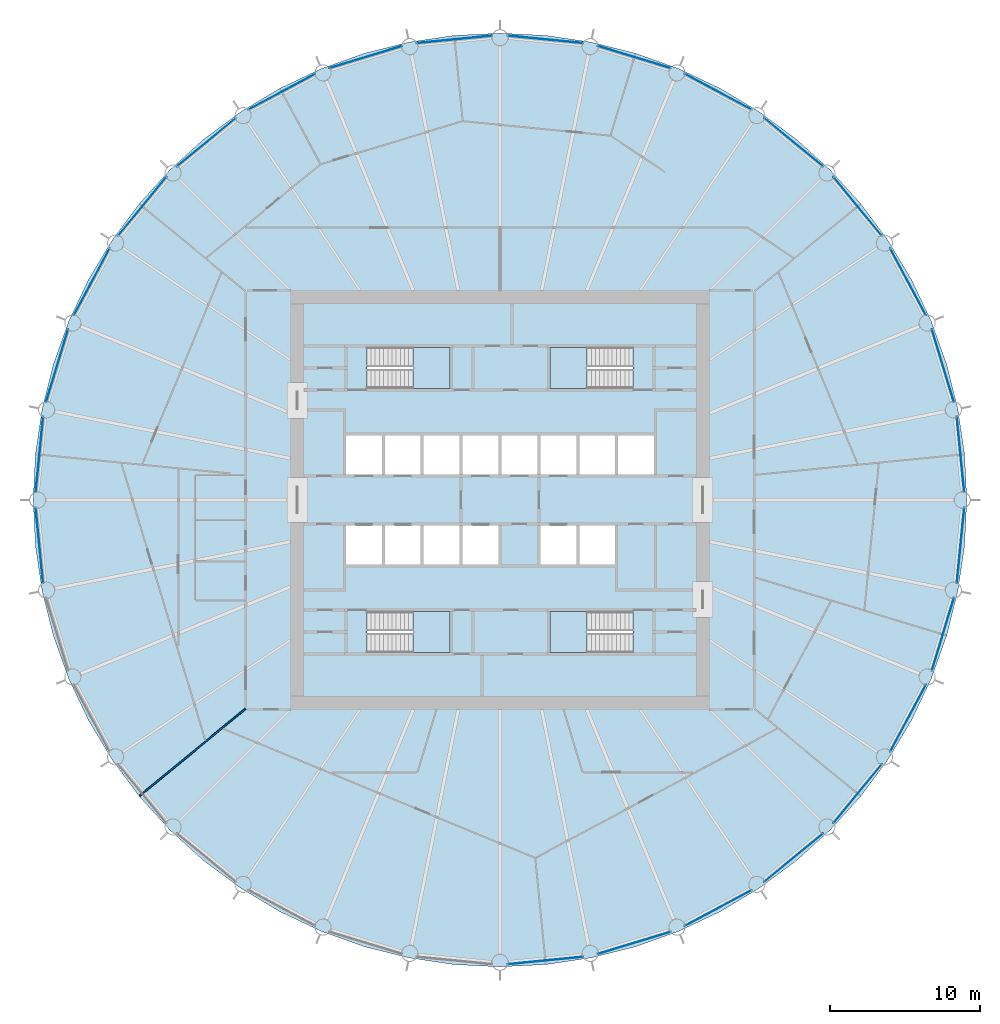
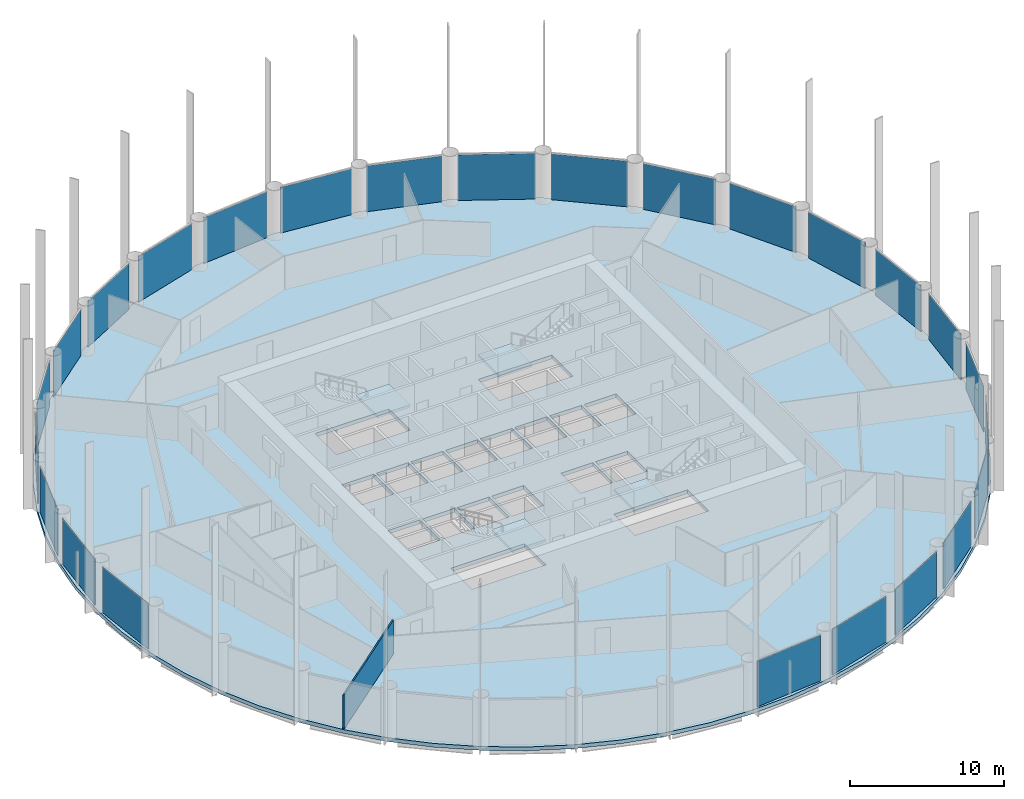
# One storey, part 3 of 9: 25 plates, 5 slabs, 1 wall, 29 elements without a shape of their own.
"""IFC4 building model written with IfcOpenShell, lengths in metres."""

from ifc_helpers import new_model, si_unit, direction, frame, frame_2d, origin, origin_2d, place, context, subcontext, project, spatial, polyline, rectangle, outline, extrude, material, layer, layer_set, type_object, element, aggregate, save


model = new_model("IFC4")

# Units and contexts
model_context = context("Model", 3, precision=1e-05, world=origin(), true_north=direction((0.0, 1.0)))
body_context = subcontext(model_context, "Body", "Model", "MODEL_VIEW")
ifc_project = project(units=[si_unit("LENGTHUNIT", "METRE"), si_unit("AREAUNIT", "SQUARE_METRE"), si_unit("VOLUMEUNIT", "CUBIC_METRE"), si_unit("PLANEANGLEUNIT", "RADIAN"), si_unit("MASSUNIT", "GRAM", prefix="KILO")], contexts=[model_context])

# Site, building, storey
site_placement = place(None, origin())
site = spatial("IfcSite", under=ifc_project, at=site_placement, CompositionType="ELEMENT")
building_placement = place(site_placement, origin())
building = spatial("IfcBuilding", under=site, at=building_placement, Name="Corvane Civic Tower", CompositionType="ELEMENT")
storey_placement = place(building_placement, frame((0.0, 0.0, 188.0)))
storey = spatial("IfcBuildingStorey", under=building, at=storey_placement, Name="L44", CompositionType="ELEMENT", Elevation=188.0)

# Slab
ifc_material_1 = material(Name="Concrete C40/50", Category="concrete")
ifc_layer_1 = layer(ifc_material_1, 0.300048828125)
ifc_layer_set_1 = layer_set([ifc_layer_1], Name="Concrete C40/50")
slab_type_1 = type_object("IfcSlabType", Name="FLOOR SLAB 300", PredefinedType="FLOOR", material=ifc_layer_set_1)
slab_1_placement = place(storey_placement, frame((0.0, 0.0, -0.300048828125)))
element("IfcSlab", 1, at=slab_1_placement, inside=storey, type_object=slab_type_1, Name="SLB-L44", PredefinedType="FLOOR", context=body_context, shape_type="SweptSolid", body=[
    extrude(outline(polyline([(0.0, 31.199951171875), (-3.05810546875, 31.0498046875), (-6.0869140625, 30.6005859375), (-9.056884765625, 29.8564453125), (-11.939697265625, 28.824951171875), (-14.70751953125, 27.515869140625), (-17.333740234375, 25.94189453125), (-19.79296875, 24.117919921875), (-22.061767578125, 22.061767578125), (-24.117919921875, 19.79296875), (-25.94189453125, 17.333740234375), (-27.515869140625, 14.70751953125), (-28.824951171875, 11.939697265625), (-29.8564453125, 9.056884765625), (-30.6005859375, 6.0869140625), (-31.0498046875, 3.05810546875), (-31.199951171875, 0.0), (-31.0498046875, -3.05810546875), (-30.6005859375, -6.0869140625), (-29.8564453125, -9.056884765625), (-28.824951171875, -11.939697265625), (-27.515869140625, -14.70751953125), (-25.94189453125, -17.333740234375), (-24.117919921875, -19.79296875), (-22.061767578125, -22.061767578125), (-19.79296875, -24.117919921875), (-17.333740234375, -25.94189453125), (-14.70751953125, -27.515869140625), (-11.939697265625, -28.824951171875), (-9.056884765625, -29.8564453125), (-6.0869140625, -30.6005859375), (-3.05810546875, -31.0498046875), (0.0, -31.199951171875), (3.05810546875, -31.0498046875), (6.0869140625, -30.6005859375), (9.056884765625, -29.8564453125), (11.939697265625, -28.824951171875), (14.70751953125, -27.515869140625), (17.333740234375, -25.94189453125), (19.79296875, -24.117919921875), (22.061767578125, -22.061767578125), (24.117919921875, -19.79296875), (25.94189453125, -17.333740234375), (27.515869140625, -14.70751953125), (28.824951171875, -11.939697265625), (29.8564453125, -9.056884765625), (30.6005859375, -6.0869140625), (31.0498046875, -3.05810546875), (31.199951171875, 0.0), (31.0498046875, 3.05810546875), (30.6005859375, 6.0869140625), (29.8564453125, 9.056884765625), (28.824951171875, 11.939697265625), (27.515869140625, 14.70751953125), (25.94189453125, 17.333740234375), (24.117919921875, 19.79296875), (22.061767578125, 22.061767578125), (19.79296875, 24.117919921875), (17.333740234375, 25.94189453125), (14.70751953125, 27.515869140625), (11.939697265625, 28.824951171875), (9.056884765625, 29.8564453125), (6.0869140625, 30.6005859375), (3.05810546875, 31.0498046875), (0.0, 31.199951171875)]), holes=[polyline([(-7.89990234375, 1.699951171875), (-10.300048828125, 1.699951171875), (-10.300048828125, 4.300048828125), (-7.89990234375, 4.300048828125), (-7.89990234375, 1.699951171875)]), polyline([(-7.699951171875, 4.300048828125), (-5.300048828125, 4.300048828125), (-5.300048828125, 1.699951171875), (-7.699951171875, 1.699951171875), (-7.699951171875, 4.300048828125)]), polyline([(-5.10009765625, 4.300048828125), (-2.699951171875, 4.300048828125), (-2.699951171875, 1.699951171875), (-5.10009765625, 1.699951171875), (-5.10009765625, 4.300048828125)]), polyline([(-0.10009765625, 4.300048828125), (-0.10009765625, 1.699951171875), (-2.5, 1.699951171875), (-2.5, 4.300048828125), (-0.10009765625, 4.300048828125)]), polyline([(2.5, 4.300048828125), (2.5, 1.699951171875), (0.10009765625, 1.699951171875), (0.10009765625, 4.300048828125), (2.5, 4.300048828125)]), polyline([(2.699951171875, 4.300048828125), (5.10009765625, 4.300048828125), (5.10009765625, 1.699951171875), (2.699951171875, 1.699951171875), (2.699951171875, 4.300048828125)]), polyline([(5.300048828125, 4.300048828125), (7.699951171875, 4.300048828125), (7.699951171875, 1.699951171875), (5.300048828125, 1.699951171875), (5.300048828125, 4.300048828125)]), polyline([(7.89990234375, 4.300048828125), (10.300048828125, 4.300048828125), (10.300048828125, 1.699951171875), (7.89990234375, 1.699951171875), (7.89990234375, 4.300048828125)]), polyline([(-7.89990234375, -1.699951171875), (-7.89990234375, -4.300048828125), (-10.300048828125, -4.300048828125), (-10.300048828125, -1.699951171875), (-7.89990234375, -1.699951171875)]), polyline([(-5.300048828125, -1.699951171875), (-5.300048828125, -4.300048828125), (-7.699951171875, -4.300048828125), (-7.699951171875, -1.699951171875), (-5.300048828125, -1.699951171875)]), polyline([(-2.699951171875, -1.699951171875), (-2.699951171875, -4.300048828125), (-5.10009765625, -4.300048828125), (-5.10009765625, -1.699951171875), (-2.699951171875, -1.699951171875)]), polyline([(-2.5, -4.300048828125), (-2.5, -1.699951171875), (-0.10009765625, -1.699951171875), (-0.10009765625, -4.300048828125), (-2.5, -4.300048828125)]), polyline([(2.699951171875, -1.699951171875), (5.10009765625, -1.699951171875), (5.10009765625, -4.300048828125), (2.699951171875, -4.300048828125), (2.699951171875, -1.699951171875)]), polyline([(7.699951171875, -1.699951171875), (7.699951171875, -4.300048828125), (5.300048828125, -4.300048828125), (5.300048828125, -1.699951171875), (7.699951171875, -1.699951171875)]), polyline([(8.889892578125, 10.199951171875), (8.889892578125, 7.449951171875), (3.35009765625, 7.449951171875), (3.35009765625, 10.199951171875), (8.889892578125, 10.199951171875)]), polyline([(-8.889892578125, 7.449951171875), (-8.889892578125, 10.199951171875), (-3.35009765625, 10.199951171875), (-3.35009765625, 7.449951171875), (-8.889892578125, 7.449951171875)]), polyline([(8.889892578125, -7.449951171875), (8.889892578125, -10.199951171875), (3.35009765625, -10.199951171875), (3.35009765625, -7.449951171875), (8.889892578125, -7.449951171875)]), polyline([(-8.889892578125, -10.199951171875), (-8.889892578125, -7.449951171875), (-3.35009765625, -7.449951171875), (-3.35009765625, -10.199951171875), (-8.889892578125, -10.199951171875)])]), origin(), (0.0, 0.0, 1.0), 0.300048828125),
])

# Stair, slab
ifc_material_2 = material(Name="Concrete C40/50", Category="concrete")
stair_type = type_object("IfcStairType", Name="ST-STAIR-HALFTURN", PredefinedType="HALF_TURN_STAIR", material=ifc_material_2)
stair_1_placement = place(storey_placement, origin())
stair_1 = element("IfcStair", 2, at=stair_1_placement, inside=storey, type_object=stair_type, Name="L44 Exit stair ST1", PredefinedType="HALF_TURN_STAIR")
ifc_material_3 = material(Name="Concrete C40/50", Category="concrete")
ifc_layer_2 = layer(ifc_material_3, 0.199951171875)
ifc_layer_set_2 = layer_set([ifc_layer_2], Name="Concrete C40/50")
slab_type_2 = type_object("IfcSlabType", Name="ST-LANDING-RC", PredefinedType="LANDING", material=ifc_layer_set_2)
slab_2_placement = place(storey_placement, frame((0.0, 0.0, 1.800048828125)))
slab_2 = element("IfcSlab", 3, at=slab_2_placement, type_object=slab_type_2, Name="ST1 landing 1", PredefinedType="LANDING", context=body_context, shape_type="SweptSolid", body=[
    extrude(outline(polyline([(5.820068359375, 10.199951171875), (3.35009765625, 10.199951171875), (3.35009765625, 7.449951171875), (5.820068359375, 7.449951171875), (5.820068359375, 10.199951171875)])), origin(), (0.0, 0.0, 1.0), 0.199951171875),
])
aggregate(stair_1, [slab_2])

stair_2_placement = place(storey_placement, origin())
stair_2 = element("IfcStair", 4, at=stair_2_placement, inside=storey, type_object=stair_type, Name="L44 Exit stair ST2", PredefinedType="HALF_TURN_STAIR")
slab_3_placement = place(storey_placement, frame((0.0, 0.0, 1.800048828125)))
slab_3 = element("IfcSlab", 5, at=slab_3_placement, type_object=slab_type_2, Name="ST2 landing 1", PredefinedType="LANDING", context=body_context, shape_type="SweptSolid", body=[
    extrude(outline(polyline([(5.820068359375, -7.449951171875), (3.35009765625, -7.449951171875), (3.35009765625, -10.199951171875), (5.820068359375, -10.199951171875), (5.820068359375, -7.449951171875)])), origin(), (0.0, 0.0, 1.0), 0.199951171875),
])
aggregate(stair_2, [slab_3])

stair_3_placement = place(storey_placement, origin())
stair_3 = element("IfcStair", 6, at=stair_3_placement, inside=storey, type_object=stair_type, Name="L44 Exit stair ST3", PredefinedType="HALF_TURN_STAIR")
slab_4_placement = place(storey_placement, frame((0.0, 0.0, 1.800048828125)))
slab_4 = element("IfcSlab", 7, at=slab_4_placement, type_object=slab_type_2, Name="ST3 landing 1", PredefinedType="LANDING", context=body_context, shape_type="SweptSolid", body=[
    extrude(outline(polyline([(-5.820068359375, -10.199951171875), (-3.35009765625, -10.199951171875), (-3.35009765625, -7.449951171875), (-5.820068359375, -7.449951171875), (-5.820068359375, -10.199951171875)])), origin(), (0.0, 0.0, 1.0), 0.199951171875),
])
aggregate(stair_3, [slab_4])

stair_4_placement = place(storey_placement, origin())
stair_4 = element("IfcStair", 8, at=stair_4_placement, inside=storey, type_object=stair_type, Name="L44 Exit stair ST4", PredefinedType="HALF_TURN_STAIR")
slab_5_placement = place(storey_placement, frame((0.0, 0.0, 1.800048828125)))
slab_5 = element("IfcSlab", 9, at=slab_5_placement, type_object=slab_type_2, Name="ST4 landing 1", PredefinedType="LANDING", context=body_context, shape_type="SweptSolid", body=[
    extrude(outline(polyline([(-5.820068359375, 7.449951171875), (-3.35009765625, 7.449951171875), (-3.35009765625, 10.199951171875), (-5.820068359375, 10.199951171875), (-5.820068359375, 7.449951171875)])), origin(), (0.0, 0.0, 1.0), 0.199951171875),
])
aggregate(stair_4, [slab_5])

# Curtain wall, plate
ifc_material_4 = material(Name="Anodised aluminium bronze", Category="aluminium")
curtain_wall_type = type_object("IfcCurtainWallType", Name="TOWER CW-T2 STICK CURTAIN WALL", PredefinedType="NOTDEFINED", material=ifc_material_4)
curtain_wall_1_placement = place(storey_placement, origin())
curtain_wall_1 = element("IfcCurtainWall", 10, at=curtain_wall_1_placement, inside=storey, type_object=curtain_wall_type, Name="Curtain wall CW-T2 L44 bay 01", PredefinedType="NOTDEFINED")
ifc_material_5 = material(Name="Tinted glass", Category="glass")
ifc_layer_3 = layer(ifc_material_5, 0.031982421875)
ifc_layer_set_3 = layer_set([ifc_layer_3], Name="Tinted glass")
plate_type = type_object("IfcPlateType", Name="TOWER CW-T2 PANEL IGU32", PredefinedType="CURTAIN_PANEL", material=ifc_layer_set_3)
plate_1_placement = place(storey_placement, frame((3.03173828125, 30.781494140625, 0.0), z_axis=(0.0, 0.0, 1.0), x_axis=(0.995185244531, -0.098011882274, 0.0)))
plate_1 = element("IfcPlate", 11, at=plate_1_placement, type_object=plate_type, Name="Glass panel CW-T2 L44 01.1", PredefinedType="CURTAIN_PANEL", context=body_context, shape_type="SweptSolid", body=[
    extrude(rectangle(XDim=5.07763671875, YDim=0.031982421875, at=origin_2d()), origin(), (0.0, 0.0, 1.0), 3.6298828125),
])
aggregate(curtain_wall_1, [plate_1])

curtain_wall_2_placement = place(storey_placement, origin())
curtain_wall_2 = element("IfcCurtainWall", 12, at=curtain_wall_2_placement, inside=storey, type_object=curtain_wall_type, Name="Curtain wall CW-T2 L44 bay 02", PredefinedType="NOTDEFINED")
plate_2_placement = place(storey_placement, frame((8.978515625, 29.5986328125, 0.0), z_axis=(0.0, 0.0, 1.0), x_axis=(0.956931677007, -0.290313219714, 0.0)))
plate_2 = element("IfcPlate", 13, at=plate_2_placement, type_object=plate_type, Name="Glass panel CW-T2 L44 02.1", PredefinedType="CURTAIN_PANEL", context=body_context, shape_type="SweptSolid", body=[
    extrude(rectangle(XDim=5.077392578125, YDim=0.031982421875, at=origin_2d()), origin(), (0.0, 0.0, 1.0), 3.6298828125),
])
aggregate(curtain_wall_2, [plate_2])

curtain_wall_3_placement = place(storey_placement, origin())
curtain_wall_3 = element("IfcCurtainWall", 14, at=curtain_wall_3_placement, inside=storey, type_object=curtain_wall_type, Name="Curtain wall CW-T2 L44 bay 03", PredefinedType="NOTDEFINED")
plate_3_placement = place(storey_placement, frame((14.58056640625, 27.278076171875, 0.0), z_axis=(0.0, 0.0, 1.0), x_axis=(0.881922190434, -0.471395004238, 0.0)))
plate_3 = element("IfcPlate", 15, at=plate_3_placement, type_object=plate_type, Name="Glass panel CW-T2 L44 03.1", PredefinedType="CURTAIN_PANEL", context=body_context, shape_type="SweptSolid", body=[
    extrude(rectangle(XDim=5.077392578125, YDim=0.031982421875, at=origin_2d()), origin(), (0.0, 0.0, 1.0), 3.6298828125),
])
aggregate(curtain_wall_3, [plate_3])

curtain_wall_4_placement = place(storey_placement, origin())
curtain_wall_4 = element("IfcCurtainWall", 16, at=curtain_wall_4_placement, inside=storey, type_object=curtain_wall_type, Name="Curtain wall CW-T2 L44 bay 04", PredefinedType="NOTDEFINED")
plate_4_placement = place(storey_placement, frame((19.6220703125, 23.909423828125, 0.0), z_axis=(0.0, 0.0, 1.0), x_axis=(0.773004844196, -0.634400118891, 0.0)))
plate_4 = element("IfcPlate", 17, at=plate_4_placement, type_object=plate_type, Name="Glass panel CW-T2 L44 04.1", PredefinedType="CURTAIN_PANEL", context=body_context, shape_type="SweptSolid", body=[
    extrude(rectangle(XDim=5.0771484375, YDim=0.031982421875, at=origin_2d()), origin(), (0.0, 0.0, 1.0), 3.6298828125),
])
aggregate(curtain_wall_4, [plate_4])

curtain_wall_5_placement = place(storey_placement, origin())
curtain_wall_5 = element("IfcCurtainWall", 18, at=curtain_wall_5_placement, inside=storey, type_object=curtain_wall_type, Name="Curtain wall CW-T2 L44 bay 05", PredefinedType="NOTDEFINED")
plate_5_placement = place(storey_placement, frame((23.909423828125, 19.6220703125, 0.0), z_axis=(0.0, 0.0, 1.0), x_axis=(0.634400118891, -0.773004844196, 0.0)))
plate_5 = element("IfcPlate", 19, at=plate_5_placement, type_object=plate_type, Name="Glass panel CW-T2 L44 05.1", PredefinedType="CURTAIN_PANEL", context=body_context, shape_type="SweptSolid", body=[
    extrude(rectangle(XDim=5.0771484375, YDim=0.031982421875, at=origin_2d()), origin(), (0.0, 0.0, 1.0), 3.6298828125),
])
aggregate(curtain_wall_5, [plate_5])

curtain_wall_6_placement = place(storey_placement, origin())
curtain_wall_6 = element("IfcCurtainWall", 20, at=curtain_wall_6_placement, inside=storey, type_object=curtain_wall_type, Name="Curtain wall CW-T2 L44 bay 06", PredefinedType="NOTDEFINED")
plate_6_placement = place(storey_placement, frame((27.278076171875, 14.58056640625, 0.0), z_axis=(0.0, 0.0, 1.0), x_axis=(0.471395004238, -0.881922190434, 0.0)))
plate_6 = element("IfcPlate", 21, at=plate_6_placement, type_object=plate_type, Name="Glass panel CW-T2 L44 06.1", PredefinedType="CURTAIN_PANEL", context=body_context, shape_type="SweptSolid", body=[
    extrude(rectangle(XDim=5.077392578125, YDim=0.031982421875, at=origin_2d()), origin(), (0.0, 0.0, 1.0), 3.6298828125),
])
aggregate(curtain_wall_6, [plate_6])

curtain_wall_7_placement = place(storey_placement, origin())
curtain_wall_7 = element("IfcCurtainWall", 22, at=curtain_wall_7_placement, inside=storey, type_object=curtain_wall_type, Name="Curtain wall CW-T2 L44 bay 07", PredefinedType="NOTDEFINED")
plate_7_placement = place(storey_placement, frame((29.5986328125, 8.978515625, 0.0), z_axis=(0.0, 0.0, 1.0), x_axis=(0.290313219714, -0.956931677007, 0.0)))
plate_7 = element("IfcPlate", 23, at=plate_7_placement, type_object=plate_type, Name="Glass panel CW-T2 L44 07.1", PredefinedType="CURTAIN_PANEL", context=body_context, shape_type="SweptSolid", body=[
    extrude(rectangle(XDim=5.077392578125, YDim=0.031982421875, at=origin_2d()), origin(), (0.0, 0.0, 1.0), 3.6298828125),
])
aggregate(curtain_wall_7, [plate_7])

curtain_wall_8_placement = place(storey_placement, origin())
curtain_wall_8 = element("IfcCurtainWall", 24, at=curtain_wall_8_placement, inside=storey, type_object=curtain_wall_type, Name="Curtain wall CW-T2 L44 bay 08", PredefinedType="NOTDEFINED")
plate_8_placement = place(storey_placement, frame((30.781494140625, 3.03173828125, 0.0), z_axis=(0.0, 0.0, 1.0), x_axis=(0.098011882274, -0.995185244531, 0.0)))
plate_8 = element("IfcPlate", 25, at=plate_8_placement, type_object=plate_type, Name="Glass panel CW-T2 L44 08.1", PredefinedType="CURTAIN_PANEL", context=body_context, shape_type="SweptSolid", body=[
    extrude(rectangle(XDim=5.07763671875, YDim=0.031982421875, at=origin_2d()), origin(), (0.0, 0.0, 1.0), 3.6298828125),
])
aggregate(curtain_wall_8, [plate_8])

curtain_wall_9_placement = place(storey_placement, origin())
curtain_wall_9 = element("IfcCurtainWall", 26, at=curtain_wall_9_placement, inside=storey, type_object=curtain_wall_type, Name="Curtain wall CW-T2 L44 bay 09", PredefinedType="NOTDEFINED")
plate_9_placement = place(storey_placement, frame((30.781494140625, -3.03173828125, 0.0), z_axis=(0.0, 0.0, 1.0), x_axis=(-0.098011882274, -0.995185244531, 0.0)))
plate_9 = element("IfcPlate", 27, at=plate_9_placement, type_object=plate_type, Name="Glass panel CW-T2 L44 09.1", PredefinedType="CURTAIN_PANEL", context=body_context, shape_type="SweptSolid", body=[
    extrude(rectangle(XDim=5.07763671875, YDim=0.031982421875, at=origin_2d()), origin(), (0.0, 0.0, 1.0), 3.6298828125),
])
aggregate(curtain_wall_9, [plate_9])

curtain_wall_10_placement = place(storey_placement, origin())
curtain_wall_10 = element("IfcCurtainWall", 28, at=curtain_wall_10_placement, inside=storey, type_object=curtain_wall_type, Name="Curtain wall CW-T2 L44 bay 10", PredefinedType="NOTDEFINED")
plate_10_placement = place(storey_placement, frame((29.5986328125, -8.978515625, 0.0), z_axis=(0.0, 0.0, 1.0), x_axis=(-0.290313219714, -0.956931677007, 0.0)))
plate_10 = element("IfcPlate", 29, at=plate_10_placement, type_object=plate_type, Name="Glass panel CW-T2 L44 10.1", PredefinedType="CURTAIN_PANEL", context=body_context, shape_type="SweptSolid", body=[
    extrude(rectangle(XDim=5.077392578125, YDim=0.031982421875, at=origin_2d()), origin(), (0.0, 0.0, 1.0), 3.6298828125),
])
aggregate(curtain_wall_10, [plate_10])

curtain_wall_11_placement = place(storey_placement, origin())
curtain_wall_11 = element("IfcCurtainWall", 30, at=curtain_wall_11_placement, inside=storey, type_object=curtain_wall_type, Name="Curtain wall CW-T2 L44 bay 11", PredefinedType="NOTDEFINED")
plate_11_placement = place(storey_placement, frame((27.278076171875, -14.58056640625, 0.0), z_axis=(0.0, 0.0, 1.0), x_axis=(-0.471395004238, -0.881922190434, 0.0)))
plate_11 = element("IfcPlate", 31, at=plate_11_placement, type_object=plate_type, Name="Glass panel CW-T2 L44 11.1", PredefinedType="CURTAIN_PANEL", context=body_context, shape_type="SweptSolid", body=[
    extrude(rectangle(XDim=5.077392578125, YDim=0.031982421875, at=origin_2d()), origin(), (0.0, 0.0, 1.0), 3.6298828125),
])
aggregate(curtain_wall_11, [plate_11])

curtain_wall_12_placement = place(storey_placement, origin())
curtain_wall_12 = element("IfcCurtainWall", 32, at=curtain_wall_12_placement, inside=storey, type_object=curtain_wall_type, Name="Curtain wall CW-T2 L44 bay 12", PredefinedType="NOTDEFINED")
plate_12_placement = place(storey_placement, frame((23.909423828125, -19.6220703125, 0.0), z_axis=(0.0, 0.0, 1.0), x_axis=(-0.634400118891, -0.773004844196, 0.0)))
plate_12 = element("IfcPlate", 33, at=plate_12_placement, type_object=plate_type, Name="Glass panel CW-T2 L44 12.1", PredefinedType="CURTAIN_PANEL", context=body_context, shape_type="SweptSolid", body=[
    extrude(rectangle(XDim=5.0771484375, YDim=0.031982421875, at=origin_2d()), origin(), (0.0, 0.0, 1.0), 3.6298828125),
])
aggregate(curtain_wall_12, [plate_12])

curtain_wall_13_placement = place(storey_placement, origin())
curtain_wall_13 = element("IfcCurtainWall", 34, at=curtain_wall_13_placement, inside=storey, type_object=curtain_wall_type, Name="Curtain wall CW-T2 L44 bay 13", PredefinedType="NOTDEFINED")
plate_13_placement = place(storey_placement, frame((19.6220703125, -23.909423828125, 0.0), z_axis=(0.0, 0.0, 1.0), x_axis=(-0.773004844196, -0.634400118891, 0.0)))
plate_13 = element("IfcPlate", 35, at=plate_13_placement, type_object=plate_type, Name="Glass panel CW-T2 L44 13.1", PredefinedType="CURTAIN_PANEL", context=body_context, shape_type="SweptSolid", body=[
    extrude(rectangle(XDim=5.0771484375, YDim=0.031982421875, at=origin_2d()), origin(), (0.0, 0.0, 1.0), 3.6298828125),
])
aggregate(curtain_wall_13, [plate_13])

curtain_wall_14_placement = place(storey_placement, origin())
curtain_wall_14 = element("IfcCurtainWall", 36, at=curtain_wall_14_placement, inside=storey, type_object=curtain_wall_type, Name="Curtain wall CW-T2 L44 bay 14", PredefinedType="NOTDEFINED")
plate_14_placement = place(storey_placement, frame((14.58056640625, -27.278076171875, 0.0), z_axis=(0.0, 0.0, 1.0), x_axis=(-0.881922190434, -0.471395004238, 0.0)))
plate_14 = element("IfcPlate", 37, at=plate_14_placement, type_object=plate_type, Name="Glass panel CW-T2 L44 14.1", PredefinedType="CURTAIN_PANEL", context=body_context, shape_type="SweptSolid", body=[
    extrude(rectangle(XDim=5.077392578125, YDim=0.031982421875, at=origin_2d()), origin(), (0.0, 0.0, 1.0), 3.6298828125),
])
aggregate(curtain_wall_14, [plate_14])

curtain_wall_15_placement = place(storey_placement, origin())
curtain_wall_15 = element("IfcCurtainWall", 38, at=curtain_wall_15_placement, inside=storey, type_object=curtain_wall_type, Name="Curtain wall CW-T2 L44 bay 15", PredefinedType="NOTDEFINED")
plate_15_placement = place(storey_placement, frame((8.978515625, -29.5986328125, 0.0), z_axis=(0.0, 0.0, 1.0), x_axis=(-0.956931677007, -0.290313219714, 0.0)))
plate_15 = element("IfcPlate", 39, at=plate_15_placement, type_object=plate_type, Name="Glass panel CW-T2 L44 15.1", PredefinedType="CURTAIN_PANEL", context=body_context, shape_type="SweptSolid", body=[
    extrude(rectangle(XDim=5.077392578125, YDim=0.031982421875, at=origin_2d()), origin(), (0.0, 0.0, 1.0), 3.6298828125),
])
aggregate(curtain_wall_15, [plate_15])

curtain_wall_16_placement = place(storey_placement, origin())
curtain_wall_16 = element("IfcCurtainWall", 40, at=curtain_wall_16_placement, inside=storey, type_object=curtain_wall_type, Name="Curtain wall CW-T2 L44 bay 16", PredefinedType="NOTDEFINED")
plate_16_placement = place(storey_placement, frame((3.03173828125, -30.781494140625, 0.0), z_axis=(0.0, 0.0, 1.0), x_axis=(-0.995185244531, -0.098011882274, 0.0)))
plate_16 = element("IfcPlate", 41, at=plate_16_placement, type_object=plate_type, Name="Glass panel CW-T2 L44 16.1", PredefinedType="CURTAIN_PANEL", context=body_context, shape_type="SweptSolid", body=[
    extrude(rectangle(XDim=5.07763671875, YDim=0.031982421875, at=origin_2d()), origin(), (0.0, 0.0, 1.0), 3.6298828125),
])
aggregate(curtain_wall_16, [plate_16])

curtain_wall_17_placement = place(storey_placement, origin())
curtain_wall_17 = element("IfcCurtainWall", 42, at=curtain_wall_17_placement, inside=storey, type_object=curtain_wall_type, Name="Curtain wall CW-T2 L44 bay 24", PredefinedType="NOTDEFINED")
plate_17_placement = place(storey_placement, frame((-30.781494140625, -3.03173828125, 0.0), z_axis=(0.0, 0.0, 1.0), x_axis=(-0.098011882274, 0.995185244531, 0.0)))
plate_17 = element("IfcPlate", 43, at=plate_17_placement, type_object=plate_type, Name="Glass panel CW-T2 L44 24.1", PredefinedType="CURTAIN_PANEL", context=body_context, shape_type="SweptSolid", body=[
    extrude(rectangle(XDim=5.07763671875, YDim=0.031982421875, at=origin_2d()), origin(), (0.0, 0.0, 1.0), 3.6298828125),
])
aggregate(curtain_wall_17, [plate_17])

curtain_wall_18_placement = place(storey_placement, origin())
curtain_wall_18 = element("IfcCurtainWall", 44, at=curtain_wall_18_placement, inside=storey, type_object=curtain_wall_type, Name="Curtain wall CW-T2 L44 bay 25", PredefinedType="NOTDEFINED")
plate_18_placement = place(storey_placement, frame((-30.781494140625, 3.03173828125, 0.0), z_axis=(0.0, 0.0, 1.0), x_axis=(0.098011882274, 0.995185244531, 0.0)))
plate_18 = element("IfcPlate", 45, at=plate_18_placement, type_object=plate_type, Name="Glass panel CW-T2 L44 25.1", PredefinedType="CURTAIN_PANEL", context=body_context, shape_type="SweptSolid", body=[
    extrude(rectangle(XDim=5.07763671875, YDim=0.031982421875, at=origin_2d()), origin(), (0.0, 0.0, 1.0), 3.6298828125),
])
aggregate(curtain_wall_18, [plate_18])

curtain_wall_19_placement = place(storey_placement, origin())
curtain_wall_19 = element("IfcCurtainWall", 46, at=curtain_wall_19_placement, inside=storey, type_object=curtain_wall_type, Name="Curtain wall CW-T2 L44 bay 26", PredefinedType="NOTDEFINED")
plate_19_placement = place(storey_placement, frame((-29.5986328125, 8.978515625, 0.0), z_axis=(0.0, 0.0, 1.0), x_axis=(0.290313219714, 0.956931677007, 0.0)))
plate_19 = element("IfcPlate", 47, at=plate_19_placement, type_object=plate_type, Name="Glass panel CW-T2 L44 26.1", PredefinedType="CURTAIN_PANEL", context=body_context, shape_type="SweptSolid", body=[
    extrude(rectangle(XDim=5.077392578125, YDim=0.031982421875, at=origin_2d()), origin(), (0.0, 0.0, 1.0), 3.6298828125),
])
aggregate(curtain_wall_19, [plate_19])

curtain_wall_20_placement = place(storey_placement, origin())
curtain_wall_20 = element("IfcCurtainWall", 48, at=curtain_wall_20_placement, inside=storey, type_object=curtain_wall_type, Name="Curtain wall CW-T2 L44 bay 27", PredefinedType="NOTDEFINED")
plate_20_placement = place(storey_placement, frame((-27.278076171875, 14.58056640625, 0.0), z_axis=(0.0, 0.0, 1.0), x_axis=(0.471395004238, 0.881922190434, 0.0)))
plate_20 = element("IfcPlate", 49, at=plate_20_placement, type_object=plate_type, Name="Glass panel CW-T2 L44 27.1", PredefinedType="CURTAIN_PANEL", context=body_context, shape_type="SweptSolid", body=[
    extrude(rectangle(XDim=5.077392578125, YDim=0.031982421875, at=origin_2d()), origin(), (0.0, 0.0, 1.0), 3.6298828125),
])
aggregate(curtain_wall_20, [plate_20])

curtain_wall_21_placement = place(storey_placement, origin())
curtain_wall_21 = element("IfcCurtainWall", 50, at=curtain_wall_21_placement, inside=storey, type_object=curtain_wall_type, Name="Curtain wall CW-T2 L44 bay 28", PredefinedType="NOTDEFINED")
plate_21_placement = place(storey_placement, frame((-23.909423828125, 19.6220703125, 0.0), z_axis=(0.0, 0.0, 1.0), x_axis=(0.634400118891, 0.773004844196, 0.0)))
plate_21 = element("IfcPlate", 51, at=plate_21_placement, type_object=plate_type, Name="Glass panel CW-T2 L44 28.1", PredefinedType="CURTAIN_PANEL", context=body_context, shape_type="SweptSolid", body=[
    extrude(rectangle(XDim=5.0771484375, YDim=0.031982421875, at=origin_2d()), origin(), (0.0, 0.0, 1.0), 3.6298828125),
])
aggregate(curtain_wall_21, [plate_21])

curtain_wall_22_placement = place(storey_placement, origin())
curtain_wall_22 = element("IfcCurtainWall", 52, at=curtain_wall_22_placement, inside=storey, type_object=curtain_wall_type, Name="Curtain wall CW-T2 L44 bay 29", PredefinedType="NOTDEFINED")
plate_22_placement = place(storey_placement, frame((-19.6220703125, 23.909423828125, 0.0), z_axis=(0.0, 0.0, 1.0), x_axis=(0.773004844196, 0.634400118891, 0.0)))
plate_22 = element("IfcPlate", 53, at=plate_22_placement, type_object=plate_type, Name="Glass panel CW-T2 L44 29.1", PredefinedType="CURTAIN_PANEL", context=body_context, shape_type="SweptSolid", body=[
    extrude(rectangle(XDim=5.0771484375, YDim=0.031982421875, at=origin_2d()), origin(), (0.0, 0.0, 1.0), 3.6298828125),
])
aggregate(curtain_wall_22, [plate_22])

curtain_wall_23_placement = place(storey_placement, origin())
curtain_wall_23 = element("IfcCurtainWall", 54, at=curtain_wall_23_placement, inside=storey, type_object=curtain_wall_type, Name="Curtain wall CW-T2 L44 bay 30", PredefinedType="NOTDEFINED")
plate_23_placement = place(storey_placement, frame((-14.58056640625, 27.278076171875, 0.0), z_axis=(0.0, 0.0, 1.0), x_axis=(0.881922190434, 0.471395004238, 0.0)))
plate_23 = element("IfcPlate", 55, at=plate_23_placement, type_object=plate_type, Name="Glass panel CW-T2 L44 30.1", PredefinedType="CURTAIN_PANEL", context=body_context, shape_type="SweptSolid", body=[
    extrude(rectangle(XDim=5.077392578125, YDim=0.031982421875, at=origin_2d()), origin(), (0.0, 0.0, 1.0), 3.6298828125),
])
aggregate(curtain_wall_23, [plate_23])

curtain_wall_24_placement = place(storey_placement, origin())
curtain_wall_24 = element("IfcCurtainWall", 56, at=curtain_wall_24_placement, inside=storey, type_object=curtain_wall_type, Name="Curtain wall CW-T2 L44 bay 31", PredefinedType="NOTDEFINED")
plate_24_placement = place(storey_placement, frame((-8.978515625, 29.5986328125, 0.0), z_axis=(0.0, 0.0, 1.0), x_axis=(0.956931677007, 0.290313219714, 0.0)))
plate_24 = element("IfcPlate", 57, at=plate_24_placement, type_object=plate_type, Name="Glass panel CW-T2 L44 31.1", PredefinedType="CURTAIN_PANEL", context=body_context, shape_type="SweptSolid", body=[
    extrude(rectangle(XDim=5.077392578125, YDim=0.031982421875, at=origin_2d()), origin(), (0.0, 0.0, 1.0), 3.6298828125),
])
aggregate(curtain_wall_24, [plate_24])

curtain_wall_25_placement = place(storey_placement, origin())
curtain_wall_25 = element("IfcCurtainWall", 58, at=curtain_wall_25_placement, inside=storey, type_object=curtain_wall_type, Name="Curtain wall CW-T2 L44 bay 32", PredefinedType="NOTDEFINED")
plate_25_placement = place(storey_placement, frame((-3.03173828125, 30.781494140625, 0.0), z_axis=(0.0, 0.0, 1.0), x_axis=(0.995185244531, 0.098011882274, 0.0)))
plate_25 = element("IfcPlate", 59, at=plate_25_placement, type_object=plate_type, Name="Glass panel CW-T2 L44 32.1", PredefinedType="CURTAIN_PANEL", context=body_context, shape_type="SweptSolid", body=[
    extrude(rectangle(XDim=5.07763671875, YDim=0.031982421875, at=origin_2d()), origin(), (0.0, 0.0, 1.0), 3.6298828125),
])
aggregate(curtain_wall_25, [plate_25])

# Wall
ifc_material_6 = material(Name="Plasterboard")
ifc_layer_4 = layer(ifc_material_6, 0.10009765625)
ifc_layer_set_4 = layer_set([ifc_layer_4], Name="Plasterboard")
wall_type = type_object("IfcWallType", Name="Partition 100 plasterboard on studs", PredefinedType="PARTITIONING", material=ifc_layer_set_4)
wall_placement = place(storey_placement, frame((-24.079345703125, -19.761474609375, 0.0), z_axis=(0.0, 0.0, 1.0), x_axis=(0.773006154143, 0.634398522742, 0.0)))
element("IfcWall", 60, at=wall_placement, inside=storey, type_object=wall_type, Name="Partition L44.004", PredefinedType="PARTITIONING", context=body_context, shape_type="SweptSolid", body=[
    extrude(rectangle(XDim=9.134521484375, YDim=0.10009765625, at=frame_2d((4.5673828125, 0.0))), origin(), (0.0, 0.0, 1.0), 2.699951171875),
])

save(model, "model.ifc")
